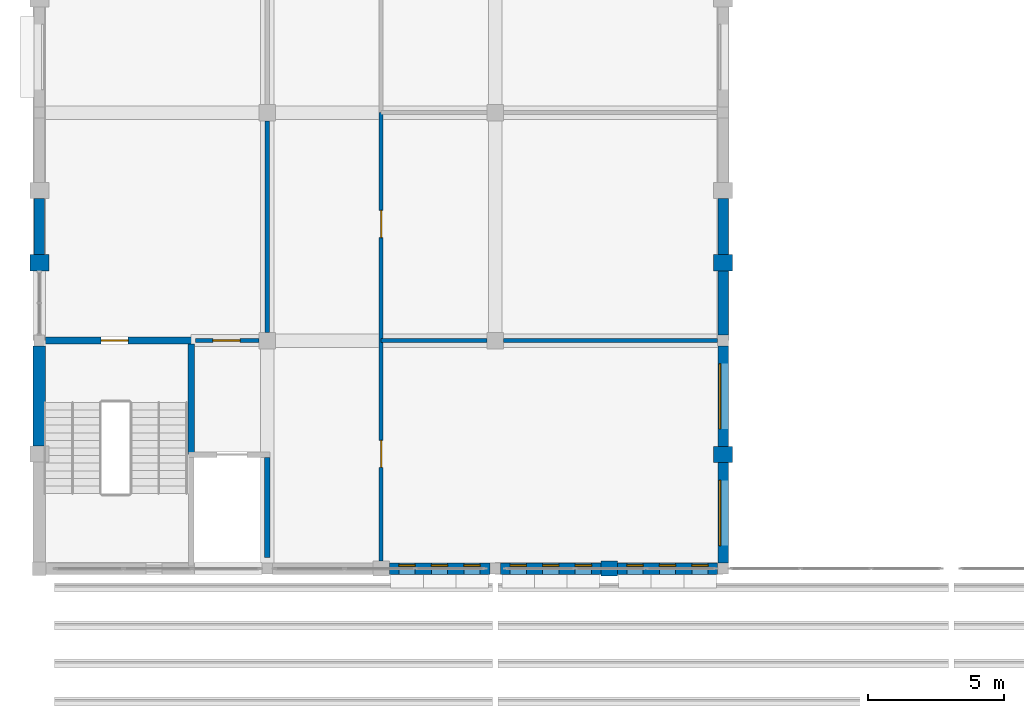
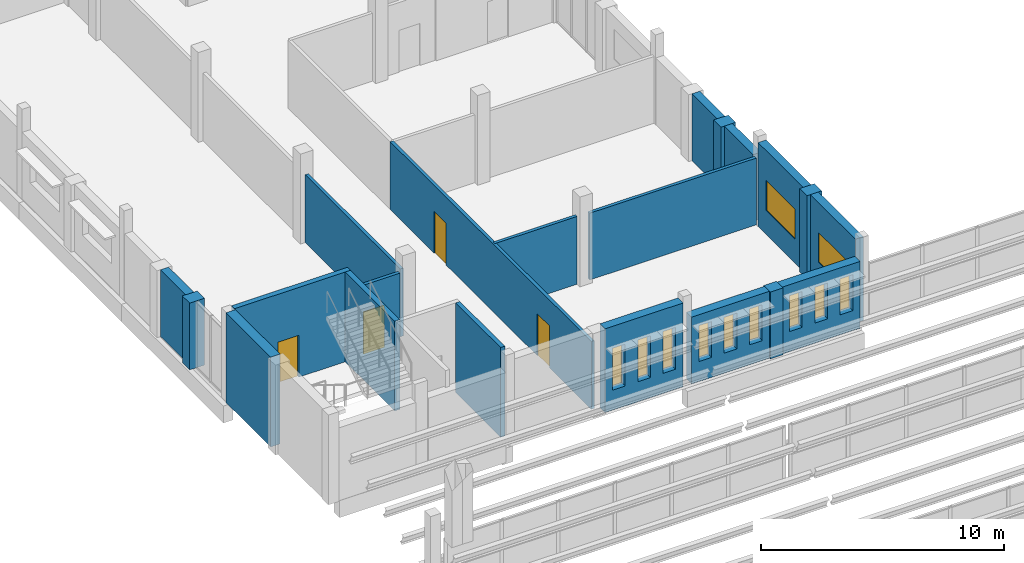
# One storey, part 93 of 116: 21 walls, 11 windows, 4 doors, 15 openings.
"""IFC4 building model written with IfcOpenShell, lengths in metres."""

from ifc_helpers import new_model, si_unit, direction, frame, frame_2d, origin, place, context, subcontext, project, spatial, rectangle, extrude, material, layer, layer_set, type_object, element, fill, save


model = new_model("IFC4")

# Units and contexts
model_context = context("Model", 3, precision=1e-05, world=origin(), true_north=direction((0.0, 1.0)))
body_context = subcontext(model_context, "Body", "Model", "MODEL_VIEW")
ifc_project = project(units=[si_unit("LENGTHUNIT", "METRE"), si_unit("AREAUNIT", "SQUARE_METRE"), si_unit("VOLUMEUNIT", "CUBIC_METRE"), si_unit("PLANEANGLEUNIT", "RADIAN"), si_unit("MASSUNIT", "GRAM", prefix="KILO")], contexts=[model_context])

# Site, building, storey
site_placement = place(None, origin())
site = spatial("IfcSite", under=ifc_project, at=site_placement, CompositionType="ELEMENT")
building_placement = place(site_placement, origin())
building = spatial("IfcBuilding", under=site, at=building_placement, Name="Fescue Hill Polytechnic", CompositionType="ELEMENT")
storey_placement = place(building_placement, frame((0.0, 0.0, 13.5)))
storey = spatial("IfcBuildingStorey", under=building, at=storey_placement, Name="L03", CompositionType="ELEMENT", Elevation=13.5)

# Wall
ifc_material_1 = material(Name="Clay brick masonry", Category="masonry")
ifc_layer_1 = layer(ifc_material_1, 0.550048828125)
ifc_layer_set_1 = layer_set([ifc_layer_1], Name="Clay brick masonry")
wall_type_1 = type_object("IfcWallType", Name="Brick pier 600x550", PredefinedType="SOLIDWALL", material=ifc_layer_set_1)
wall_1_placement = place(storey_placement, frame((20.699951171875, 50.39990234375, 0.0), z_axis=(0.0, 0.0, 1.0), x_axis=(1.0, 0.0, 0.0)))
element("IfcWall", 1, at=wall_1_placement, inside=storey, type_object=wall_type_1, Name="PR-L03-V4-24", PredefinedType="SOLIDWALL", context=body_context, shape_type="SweptSolid", body=[
    extrude(rectangle(XDim=0.60009765625, YDim=0.550048828125, at=frame_2d((0.300048828125, 0.0))), origin(), (0.0, 0.0, 1.0), 3.35009765625),
])

# Wall, opening, door
ifc_material_2 = material(Name="Concrete 40 MPa", Category="concrete")
ifc_layer_2 = layer(ifc_material_2, 0.25)
ifc_layer_set_2 = layer_set([ifc_layer_2], Name="Concrete 40 MPa")
wall_type_2 = type_object("IfcWallType", Name="Core wall 250", PredefinedType="SHEAR", material=ifc_layer_set_2)
wall_2_placement = place(storey_placement, frame((0.22509765625, 58.800048828125, 0.0), z_axis=(0.0, 0.0, 1.0), x_axis=(1.0, 0.0, 0.0)))
wall_2 = element("IfcWall", 2, at=wall_2_placement, inside=storey, type_object=wall_type_2, Name="CW-L03-ST-V4-1-21", PredefinedType="SHEAR", context=body_context, shape_type="SweptSolid", body=[
    extrude(rectangle(XDim=5.5, YDim=0.25, at=frame_2d((2.75, 0.0))), origin(), (0.0, 0.0, 1.0), 4.5),
])
opening_1_placement = place(wall_2_placement, frame((2.050048828125, 0.0, 0.0)))
opening_1 = element("IfcOpeningElement", 3, at=opening_1_placement, cuts=wall_2, Name="Opening D3038", PredefinedType="OPENING", context=body_context, shape_type="SweptSolid", body=[
    extrude(rectangle(XDim=1.0, YDim=2.10009765625, at=frame_2d((0.5, 1.050048828125))), frame((0.0, 0.135009765625, 0.0), z_axis=(0.0, -1.0, 0.0), x_axis=(1.0, 0.0, 0.0)), (0.0, 0.0, 1.0), 0.27001953125),
])
ifc_material_3 = material(Name="Steel fire door", Category="steel")
door_type_1 = type_object("IfcDoorType", Name="Door single swing 1000x2100 stair fire rated", OperationType="NOTDEFINED", PredefinedType="DOOR", material=ifc_material_3)
door_1_placement = place(opening_1_placement, origin())
door_1 = element("IfcDoor", 4, at=door_1_placement, inside=storey, type_object=door_type_1, Name="L03 ST-V4-1 stair door", OperationType="SINGLE_SWING_RIGHT", OverallHeight=2.10009765625, OverallWidth=1.0, PredefinedType="DOOR", context=body_context, shape_type="SweptSolid", body=[
    extrude(rectangle(XDim=1.0, YDim=2.10009765625, at=frame_2d((0.5, 1.050048828125))), frame((0.0, 0.02490234375, 0.0), z_axis=(0.0, -1.0, 0.0), x_axis=(1.0, 0.0, 0.0)), (0.0, 0.0, 1.0), 0.050048828125),
])
fill(opening_1, door_1)

# Walls
wall_3_placement = place(storey_placement, frame((5.60009765625, 54.610107421875, 0.0), z_axis=(0.0, 0.0, 1.0), x_axis=(0.0, 1.0, 0.0)))
element("IfcWall", 5, at=wall_3_placement, inside=storey, type_object=wall_type_2, Name="CW-L03-ST-V4-1-41", PredefinedType="SHEAR", context=body_context, shape_type="SweptSolid", body=[
    extrude(rectangle(XDim=4.06494140625, YDim=0.25, at=frame_2d((2.032470703125, 0.0))), origin(), (0.0, 0.0, 1.0), 4.5),
])
ifc_layer_3 = layer(ifc_material_2, 0.449951171875)
ifc_layer_set_3 = layer_set([ifc_layer_3], Name="Concrete 40 MPa")
wall_type_3 = type_object("IfcWallType", Name="Exterior wall board-marked concrete 450 load-bearing", PredefinedType="SOLIDWALL", material=ifc_layer_set_3)
wall_4_placement = place(storey_placement, frame((0.0, 58.60009765625, 0.0), z_axis=(0.0, 0.0, 1.0), x_axis=(0.0, -1.0, 0.0)))
element("IfcWall", 6, at=wall_4_placement, inside=storey, type_object=wall_type_3, Name="EW-L03-V4-34", PredefinedType="SOLIDWALL", context=body_context, shape_type="SweptSolid", body=[
    extrude(rectangle(XDim=3.675048828125, YDim=0.449951171875, at=frame_2d((1.83740234375, 0.0))), origin(), (0.0, 0.0, 1.0), 4.5),
])

# Wall, openings, windows
ifc_layer_4 = layer(ifc_material_1, 0.419921875)
ifc_layer_set_4 = layer_set([ifc_layer_4], Name="Clay brick masonry")
wall_type_4 = type_object("IfcWallType", Name="Exterior wall buff-red brick cavity 420", PredefinedType="SOLIDWALL", material=ifc_layer_set_4)
wall_5_placement = place(storey_placement, frame((12.89990234375, 50.39990234375, 0.0), z_axis=(0.0, 0.0, 1.0), x_axis=(1.0, 0.0, 0.0)))
wall_5 = element("IfcWall", 7, at=wall_5_placement, inside=storey, type_object=wall_type_4, Name="EW-L03-V4-39", PredefinedType="SOLIDWALL", context=body_context, shape_type="SweptSolid", body=[
    extrude(rectangle(XDim=3.7001953125, YDim=0.419921875, at=frame_2d((1.85009765625, 0.0))), origin(), (0.0, 0.0, 1.0), 4.199951171875),
])
opening_2_placement = place(wall_5_placement, frame((0.35009765625, 0.0, 1.0)))
opening_2 = element("IfcOpeningElement", 8, at=opening_2_placement, cuts=wall_5, Name="Opening W6", PredefinedType="OPENING", context=body_context, shape_type="SweptSolid", body=[
    extrude(rectangle(XDim=0.60009765625, YDim=2.10009765625, at=frame_2d((0.300048828125, 1.050048828125))), frame((0.0, 0.219970703125, 0.0), z_axis=(0.0, -1.0, 0.0), x_axis=(1.0, 0.0, 0.0)), (0.0, 0.0, 1.0), 0.43994140625),
])
opening_3_placement = place(wall_5_placement, frame((1.550048828125, 0.0, 1.0)))
opening_3 = element("IfcOpeningElement", 9, at=opening_3_placement, cuts=wall_5, Name="Opening W6", PredefinedType="OPENING", context=body_context, shape_type="SweptSolid", body=[
    extrude(rectangle(XDim=0.60009765625, YDim=2.10009765625, at=frame_2d((0.300048828125, 1.050048828125))), frame((0.0, 0.219970703125, 0.0), z_axis=(0.0, -1.0, 0.0), x_axis=(1.0, 0.0, 0.0)), (0.0, 0.0, 1.0), 0.43994140625),
])
opening_4_placement = place(wall_5_placement, frame((2.75, 0.0, 1.0)))
opening_4 = element("IfcOpeningElement", 10, at=opening_4_placement, cuts=wall_5, Name="Opening W6", PredefinedType="OPENING", context=body_context, shape_type="SweptSolid", body=[
    extrude(rectangle(XDim=0.60009765625, YDim=2.10009765625, at=frame_2d((0.300048828125, 1.050048828125))), frame((0.0, 0.219970703125, 0.0), z_axis=(0.0, -1.0, 0.0), x_axis=(1.0, 0.0, 0.0)), (0.0, 0.0, 1.0), 0.43994140625),
])
ifc_material_4 = material(Name="Powder-coated aluminium and glass", Category="aluminium")
window_type_1 = type_object("IfcWindowType", Name="Window slot 600x2100", PartitioningType="SINGLE_PANEL", PredefinedType="WINDOW", material=ifc_material_4)
window_1_placement = place(opening_2_placement, origin())
window_1 = element("IfcWindow", 11, at=window_1_placement, inside=storey, type_object=window_type_1, Name="WN-L03-V4-14", OverallHeight=2.10009765625, OverallWidth=0.60009765625, PartitioningType="SINGLE_PANEL", PredefinedType="WINDOW", context=body_context, shape_type="SweptSolid", body=[
    extrude(rectangle(XDim=0.60009765625, YDim=2.10009765625, at=frame_2d((0.300048828125, 1.050048828125))), frame((0.0, 0.150146484375, 0.0), z_axis=(0.0, -1.0, 0.0), x_axis=(1.0, 0.0, 0.0)), (0.0, 0.0, 1.0), 0.06005859375),
])
fill(opening_2, window_1)
window_2_placement = place(opening_3_placement, origin())
window_2 = element("IfcWindow", 12, at=window_2_placement, inside=storey, type_object=window_type_1, Name="WN-L03-V4-15", OverallHeight=2.10009765625, OverallWidth=0.60009765625, PartitioningType="SINGLE_PANEL", PredefinedType="WINDOW", context=body_context, shape_type="SweptSolid", body=[
    extrude(rectangle(XDim=0.60009765625, YDim=2.10009765625, at=frame_2d((0.300048828125, 1.050048828125))), frame((0.0, 0.150146484375, 0.0), z_axis=(0.0, -1.0, 0.0), x_axis=(1.0, 0.0, 0.0)), (0.0, 0.0, 1.0), 0.06005859375),
])
fill(opening_3, window_2)
window_3_placement = place(opening_4_placement, origin())
window_3 = element("IfcWindow", 13, at=window_3_placement, inside=storey, type_object=window_type_1, Name="WN-L03-V4-16", OverallHeight=2.10009765625, OverallWidth=0.60009765625, PartitioningType="SINGLE_PANEL", PredefinedType="WINDOW", context=body_context, shape_type="SweptSolid", body=[
    extrude(rectangle(XDim=0.60009765625, YDim=2.10009765625, at=frame_2d((0.300048828125, 1.050048828125))), frame((0.0, 0.150146484375, 0.0), z_axis=(0.0, -1.0, 0.0), x_axis=(1.0, 0.0, 0.0)), (0.0, 0.0, 1.0), 0.06005859375),
])
fill(opening_4, window_3)

wall_6_placement = place(storey_placement, frame((17.0, 50.39990234375, 0.0), z_axis=(0.0, 0.0, 1.0), x_axis=(1.0, 0.0, 0.0)))
wall_6 = element("IfcWall", 14, at=wall_6_placement, inside=storey, type_object=wall_type_4, Name="EW-L03-V4-40", PredefinedType="SOLIDWALL", context=body_context, shape_type="SweptSolid", body=[
    extrude(rectangle(XDim=3.699951171875, YDim=0.419921875, at=frame_2d((1.85009765625, 0.0))), origin(), (0.0, 0.0, 1.0), 3.35009765625),
])
opening_5_placement = place(wall_6_placement, frame((0.35009765625, 0.0, 1.0)))
opening_5 = element("IfcOpeningElement", 15, at=opening_5_placement, cuts=wall_6, Name="Opening W6R", PredefinedType="OPENING", context=body_context, shape_type="SweptSolid", body=[
    extrude(rectangle(XDim=0.60009765625, YDim=1.800048828125, at=frame_2d((0.300048828125, 0.89990234375))), frame((0.0, 0.219970703125, 0.0), z_axis=(0.0, -1.0, 0.0), x_axis=(1.0, 0.0, 0.0)), (0.0, 0.0, 1.0), 0.43994140625),
])
opening_6_placement = place(wall_6_placement, frame((1.550048828125, 0.0, 1.0)))
opening_6 = element("IfcOpeningElement", 16, at=opening_6_placement, cuts=wall_6, Name="Opening W6R", PredefinedType="OPENING", context=body_context, shape_type="SweptSolid", body=[
    extrude(rectangle(XDim=0.60009765625, YDim=1.800048828125, at=frame_2d((0.300048828125, 0.89990234375))), frame((0.0, 0.219970703125, 0.0), z_axis=(0.0, -1.0, 0.0), x_axis=(1.0, 0.0, 0.0)), (0.0, 0.0, 1.0), 0.43994140625),
])
opening_7_placement = place(wall_6_placement, frame((2.75, 0.0, 1.0)))
opening_7 = element("IfcOpeningElement", 17, at=opening_7_placement, cuts=wall_6, Name="Opening W6R", PredefinedType="OPENING", context=body_context, shape_type="SweptSolid", body=[
    extrude(rectangle(XDim=0.60009765625, YDim=1.800048828125, at=frame_2d((0.300048828125, 0.89990234375))), frame((0.0, 0.219970703125, 0.0), z_axis=(0.0, -1.0, 0.0), x_axis=(1.0, 0.0, 0.0)), (0.0, 0.0, 1.0), 0.43994140625),
])
window_type_2 = type_object("IfcWindowType", Name="Window slot 600x1800", PartitioningType="SINGLE_PANEL", PredefinedType="WINDOW", material=ifc_material_4)
window_4_placement = place(opening_5_placement, origin())
window_4 = element("IfcWindow", 18, at=window_4_placement, inside=storey, type_object=window_type_2, Name="WN-L03-V4-17", OverallHeight=1.800048828125, OverallWidth=0.60009765625, PartitioningType="SINGLE_PANEL", PredefinedType="WINDOW", context=body_context, shape_type="SweptSolid", body=[
    extrude(rectangle(XDim=0.60009765625, YDim=1.800048828125, at=frame_2d((0.300048828125, 0.89990234375))), frame((0.0, 0.150146484375, 0.0), z_axis=(0.0, -1.0, 0.0), x_axis=(1.0, 0.0, 0.0)), (0.0, 0.0, 1.0), 0.06005859375),
])
fill(opening_5, window_4)
window_5_placement = place(opening_6_placement, origin())
window_5 = element("IfcWindow", 19, at=window_5_placement, inside=storey, type_object=window_type_2, Name="WN-L03-V4-18", OverallHeight=1.800048828125, OverallWidth=0.60009765625, PartitioningType="SINGLE_PANEL", PredefinedType="WINDOW", context=body_context, shape_type="SweptSolid", body=[
    extrude(rectangle(XDim=0.60009765625, YDim=1.800048828125, at=frame_2d((0.300048828125, 0.89990234375))), frame((0.0, 0.150146484375, 0.0), z_axis=(0.0, -1.0, 0.0), x_axis=(1.0, 0.0, 0.0)), (0.0, 0.0, 1.0), 0.06005859375),
])
fill(opening_6, window_5)
window_6_placement = place(opening_7_placement, origin())
window_6 = element("IfcWindow", 20, at=window_6_placement, inside=storey, type_object=window_type_2, Name="WN-L03-V4-19", OverallHeight=1.800048828125, OverallWidth=0.60009765625, PartitioningType="SINGLE_PANEL", PredefinedType="WINDOW", context=body_context, shape_type="SweptSolid", body=[
    extrude(rectangle(XDim=0.60009765625, YDim=1.800048828125, at=frame_2d((0.300048828125, 0.89990234375))), frame((0.0, 0.150146484375, 0.0), z_axis=(0.0, -1.0, 0.0), x_axis=(1.0, 0.0, 0.0)), (0.0, 0.0, 1.0), 0.06005859375),
])
fill(opening_7, window_6)

wall_7_placement = place(storey_placement, frame((21.300048828125, 50.39990234375, 0.0), z_axis=(0.0, 0.0, 1.0), x_axis=(1.0, 0.0, 0.0)))
wall_7 = element("IfcWall", 21, at=wall_7_placement, inside=storey, type_object=wall_type_4, Name="EW-L03-V4-41", PredefinedType="SOLIDWALL", context=body_context, shape_type="SweptSolid", body=[
    extrude(rectangle(XDim=3.699951171875, YDim=0.419921875, at=frame_2d((1.85009765625, 0.0))), origin(), (0.0, 0.0, 1.0), 3.35009765625),
])
opening_8_placement = place(wall_7_placement, frame((0.35009765625, 0.0, 1.0)))
opening_8 = element("IfcOpeningElement", 22, at=opening_8_placement, cuts=wall_7, Name="Opening W6R", PredefinedType="OPENING", context=body_context, shape_type="SweptSolid", body=[
    extrude(rectangle(XDim=0.60009765625, YDim=1.800048828125, at=frame_2d((0.300048828125, 0.89990234375))), frame((0.0, 0.219970703125, 0.0), z_axis=(0.0, -1.0, 0.0), x_axis=(1.0, 0.0, 0.0)), (0.0, 0.0, 1.0), 0.43994140625),
])
opening_9_placement = place(wall_7_placement, frame((1.550048828125, 0.0, 1.0)))
opening_9 = element("IfcOpeningElement", 23, at=opening_9_placement, cuts=wall_7, Name="Opening W6R", PredefinedType="OPENING", context=body_context, shape_type="SweptSolid", body=[
    extrude(rectangle(XDim=0.60009765625, YDim=1.800048828125, at=frame_2d((0.300048828125, 0.89990234375))), frame((0.0, 0.219970703125, 0.0), z_axis=(0.0, -1.0, 0.0), x_axis=(1.0, 0.0, 0.0)), (0.0, 0.0, 1.0), 0.43994140625),
])
opening_10_placement = place(wall_7_placement, frame((2.75, 0.0, 1.0)))
opening_10 = element("IfcOpeningElement", 24, at=opening_10_placement, cuts=wall_7, Name="Opening W6R", PredefinedType="OPENING", context=body_context, shape_type="SweptSolid", body=[
    extrude(rectangle(XDim=0.60009765625, YDim=1.800048828125, at=frame_2d((0.300048828125, 0.89990234375))), frame((0.0, 0.219970703125, 0.0), z_axis=(0.0, -1.0, 0.0), x_axis=(1.0, 0.0, 0.0)), (0.0, 0.0, 1.0), 0.43994140625),
])
window_7_placement = place(opening_8_placement, origin())
window_7 = element("IfcWindow", 25, at=window_7_placement, inside=storey, type_object=window_type_2, Name="WN-L03-V4-20", OverallHeight=1.800048828125, OverallWidth=0.60009765625, PartitioningType="SINGLE_PANEL", PredefinedType="WINDOW", context=body_context, shape_type="SweptSolid", body=[
    extrude(rectangle(XDim=0.60009765625, YDim=1.800048828125, at=frame_2d((0.300048828125, 0.89990234375))), frame((0.0, 0.150146484375, 0.0), z_axis=(0.0, -1.0, 0.0), x_axis=(1.0, 0.0, 0.0)), (0.0, 0.0, 1.0), 0.06005859375),
])
fill(opening_8, window_7)
window_8_placement = place(opening_9_placement, origin())
window_8 = element("IfcWindow", 26, at=window_8_placement, inside=storey, type_object=window_type_2, Name="WN-L03-V4-21", OverallHeight=1.800048828125, OverallWidth=0.60009765625, PartitioningType="SINGLE_PANEL", PredefinedType="WINDOW", context=body_context, shape_type="SweptSolid", body=[
    extrude(rectangle(XDim=0.60009765625, YDim=1.800048828125, at=frame_2d((0.300048828125, 0.89990234375))), frame((0.0, 0.150146484375, 0.0), z_axis=(0.0, -1.0, 0.0), x_axis=(1.0, 0.0, 0.0)), (0.0, 0.0, 1.0), 0.06005859375),
])
fill(opening_9, window_8)
window_9_placement = place(opening_10_placement, origin())
window_9 = element("IfcWindow", 27, at=window_9_placement, inside=storey, type_object=window_type_2, Name="WN-L03-V4-22", OverallHeight=1.800048828125, OverallWidth=0.60009765625, PartitioningType="SINGLE_PANEL", PredefinedType="WINDOW", context=body_context, shape_type="SweptSolid", body=[
    extrude(rectangle(XDim=0.60009765625, YDim=1.800048828125, at=frame_2d((0.300048828125, 0.89990234375))), frame((0.0, 0.150146484375, 0.0), z_axis=(0.0, -1.0, 0.0), x_axis=(1.0, 0.0, 0.0)), (0.0, 0.0, 1.0), 0.06005859375),
])
fill(opening_10, window_9)

# Wall, opening, window
ifc_material_5 = material(Name="Terracotta rainscreen on concrete block", Category="masonry")
ifc_layer_5 = layer(ifc_material_5, 0.3798828125)
ifc_layer_set_5 = layer_set([ifc_layer_5], Name="Terracotta rainscreen on concrete block")
wall_type_5 = type_object("IfcWallType", Name="Exterior wall rainscreen terracotta on blockwork 380", PredefinedType="SOLIDWALL", material=ifc_layer_set_5)
wall_8_placement = place(storey_placement, frame((25.199951171875, 50.60009765625, 0.0), z_axis=(0.0, 0.0, 1.0), x_axis=(0.0, 1.0, 0.0)))
wall_8 = element("IfcWall", 28, at=wall_8_placement, inside=storey, type_object=wall_type_5, Name="EW-L03-V4-1", PredefinedType="SOLIDWALL", context=body_context, shape_type="SweptSolid", body=[
    extrude(rectangle(XDim=3.699951171875, YDim=0.3798828125, at=frame_2d((1.85009765625, 0.0))), origin(), (0.0, 0.0, 1.0), 4.199951171875),
])
opening_11_placement = place(wall_8_placement, frame((0.64990234375, 0.0, 1.199951171875)))
opening_11 = element("IfcOpeningElement", 29, at=opening_11_placement, cuts=wall_8, Name="Opening W3", PredefinedType="OPENING", context=body_context, shape_type="SweptSolid", body=[
    extrude(rectangle(XDim=2.39990234375, YDim=1.5, at=frame_2d((1.199951171875, 0.75))), frame((0.0, 0.199951171875, 0.0), z_axis=(0.0, -1.0, 0.0), x_axis=(1.0, 0.0, 0.0)), (0.0, 0.0, 1.0), 0.39990234375),
])
window_type_3 = type_object("IfcWindowType", Name="Window laboratory strip 2400x1500", PartitioningType="TRIPLE_PANEL_VERTICAL", PredefinedType="WINDOW", material=ifc_material_4)
window_10_placement = place(opening_11_placement, origin())
window_10 = element("IfcWindow", 30, at=window_10_placement, inside=storey, type_object=window_type_3, Name="WN-L03-V4-1", OverallHeight=1.5, OverallWidth=2.39990234375, PartitioningType="SINGLE_PANEL", PredefinedType="WINDOW", context=body_context, shape_type="SweptSolid", body=[
    extrude(rectangle(XDim=2.39990234375, YDim=1.5, at=frame_2d((1.199951171875, 0.75))), frame((0.0, 0.150146484375, 0.0), z_axis=(0.0, -1.0, 0.0), x_axis=(1.0, 0.0, 0.0)), (0.0, 0.0, 1.0), 0.06005859375),
])
fill(opening_11, window_10)

wall_9_placement = place(storey_placement, frame((25.199951171875, 54.89990234375, 0.0), z_axis=(0.0, 0.0, 1.0), x_axis=(0.0, 1.0, 0.0)))
wall_9 = element("IfcWall", 31, at=wall_9_placement, inside=storey, type_object=wall_type_5, Name="EW-L03-V4-2", PredefinedType="SOLIDWALL", context=body_context, shape_type="SweptSolid", body=[
    extrude(rectangle(XDim=3.7001953125, YDim=0.3798828125, at=frame_2d((1.85009765625, 0.0))), origin(), (0.0, 0.0, 1.0), 4.199951171875),
])
opening_12_placement = place(wall_9_placement, frame((0.64990234375, 0.0, 1.199951171875)))
opening_12 = element("IfcOpeningElement", 32, at=opening_12_placement, cuts=wall_9, Name="Opening W3", PredefinedType="OPENING", context=body_context, shape_type="SweptSolid", body=[
    extrude(rectangle(XDim=2.39990234375, YDim=1.5, at=frame_2d((1.199951171875, 0.75))), frame((0.0, 0.199951171875, 0.0), z_axis=(0.0, -1.0, 0.0), x_axis=(1.0, 0.0, 0.0)), (0.0, 0.0, 1.0), 0.39990234375),
])
window_11_placement = place(opening_12_placement, origin())
window_11 = element("IfcWindow", 33, at=window_11_placement, inside=storey, type_object=window_type_3, Name="WN-L03-V4-2", OverallHeight=1.5, OverallWidth=2.39990234375, PartitioningType="SINGLE_PANEL", PredefinedType="WINDOW", context=body_context, shape_type="SweptSolid", body=[
    extrude(rectangle(XDim=2.39990234375, YDim=1.5, at=frame_2d((1.199951171875, 0.75))), frame((0.0, 0.150146484375, 0.0), z_axis=(0.0, -1.0, 0.0), x_axis=(1.0, 0.0, 0.0)), (0.0, 0.0, 1.0), 0.06005859375),
])
fill(opening_12, window_11)

# Walls
wall_10_placement = place(storey_placement, frame((25.199951171875, 59.0, 0.0), z_axis=(0.0, 0.0, 1.0), x_axis=(0.0, 1.0, 0.0)))
element("IfcWall", 34, at=wall_10_placement, inside=storey, type_object=wall_type_5, Name="EW-L03-V4-3", PredefinedType="SOLIDWALL", context=body_context, shape_type="SweptSolid", body=[
    extrude(rectangle(XDim=2.36669921875, YDim=0.3798828125, at=frame_2d((1.183349609375, 0.0))), origin(), (0.0, 0.0, 1.0), 3.35009765625),
])
for number, where, z_axis, x_axis, name in (
    (35, (25.199951171875, 61.966796875, 0.0), (0.0, 0.0, 1.0), (0.0, 1.0, 0.0), "EW-L03-V4-4"),
    (36, (0.0, 64.033203125, 0.0), (0.0, 0.0, 1.0), (0.0, -1.0, 0.0), "EW-L03-V4-32"),
):
    element("IfcWall", number, at=place(storey_placement, frame(where, z_axis=z_axis, x_axis=x_axis)), inside=storey, type_object=wall_type_5, Name=name, PredefinedType="SOLIDWALL", context=body_context, shape_type="SweptSolid", body=[
        extrude(rectangle(XDim=2.06640625, YDim=0.3798828125, at=frame_2d((1.033203125, 0.0))), origin(), (0.0, 0.0, 1.0), 3.35009765625),
    ])
ifc_layer_6 = layer(ifc_material_2, 0.699951171875)
ifc_layer_set_6 = layer_set([ifc_layer_6], Name="Concrete 40 MPa")
wall_type_6 = type_object("IfcWallType", Name="Fin wall board-marked 600x700", PredefinedType="SOLIDWALL", material=ifc_layer_set_6)
wall_11_placement = place(storey_placement, frame((25.199951171875, 54.300048828125, 0.0), z_axis=(0.0, 0.0, 1.0), x_axis=(0.0, 1.0, 0.0)))
element("IfcWall", 37, at=wall_11_placement, inside=storey, type_object=wall_type_6, Name="PR-L03-V4-1", PredefinedType="SOLIDWALL", context=body_context, shape_type="SweptSolid", body=[
    extrude(rectangle(XDim=0.599853515625, YDim=0.699951171875, at=frame_2d((0.2998046875, 0.0))), origin(), (0.0, 0.0, 1.0), 4.199951171875),
])
for number, where, z_axis, x_axis, name in (
    (38, (25.199951171875, 61.36669921875, 0.0), (0.0, 0.0, 1.0), (0.0, 1.0, 0.0), "PR-L03-V4-2"),
    (39, (0.0, 61.966796875, 0.0), (0.0, 0.0, 1.0), (0.0, -1.0, 0.0), "PR-L03-V4-20"),
):
    element("IfcWall", number, at=place(storey_placement, frame(where, z_axis=z_axis, x_axis=x_axis)), inside=storey, type_object=wall_type_6, Name=name, PredefinedType="SOLIDWALL", context=body_context, shape_type="SweptSolid", body=[
        extrude(rectangle(XDim=0.60009765625, YDim=0.699951171875, at=frame_2d((0.300048828125, 0.0))), origin(), (0.0, 0.0, 1.0), 3.35009765625),
    ])
ifc_material_6 = material(Name="Concrete masonry block 15 MPa", Category="masonry")
ifc_layer_7 = layer(ifc_material_6, 0.14990234375)
ifc_layer_set_7 = layer_set([ifc_layer_7], Name="Concrete masonry block 15 MPa")
wall_type_7 = type_object("IfcWallType", Name="Laboratory wall 150 block EI 60", PredefinedType="PARTITIONING", material=ifc_layer_set_7)
wall_12_placement = place(storey_placement, frame((12.60009765625, 58.800048828125, 0.0), z_axis=(0.0, 0.0, 1.0), x_axis=(1.0, 0.0, 0.0)))
element("IfcWall", 40, at=wall_12_placement, inside=storey, type_object=wall_type_7, Name="IW-L03-001", PredefinedType="PARTITIONING", context=body_context, shape_type="SweptSolid", body=[
    extrude(rectangle(XDim=3.89990234375, YDim=0.14990234375, at=frame_2d((1.949951171875, 0.0))), origin(), (0.0, 0.0, 1.0), 3.39990234375),
])
wall_13_placement = place(storey_placement, frame((17.10009765625, 58.800048828125, 0.0), z_axis=(0.0, 0.0, 1.0), x_axis=(1.0, 0.0, 0.0)))
element("IfcWall", 41, at=wall_13_placement, inside=storey, type_object=wall_type_7, Name="IW-L03-002", PredefinedType="PARTITIONING", context=body_context, shape_type="SweptSolid", body=[
    extrude(rectangle(XDim=7.89990234375, YDim=0.14990234375, at=frame_2d((3.949951171875, 0.0))), origin(), (0.0, 0.0, 1.0), 3.35009765625),
])
wall_14_placement = place(storey_placement, frame((8.39990234375, 59.10009765625, 0.0), z_axis=(0.0, 0.0, 1.0), x_axis=(0.0, 1.0, 0.0)))
element("IfcWall", 42, at=wall_14_placement, inside=storey, type_object=wall_type_7, Name="IW-L03-037", PredefinedType="PARTITIONING", context=body_context, shape_type="SweptSolid", body=[
    extrude(rectangle(XDim=7.7998046875, YDim=0.14990234375, at=frame_2d((3.89990234375, 0.0))), origin(), (0.0, 0.0, 1.0), 3.39990234375),
])

# Wall, openings, doors
wall_15_placement = place(storey_placement, frame((12.60009765625, 50.675048828125, 0.0), z_axis=(0.0, 0.0, 1.0), x_axis=(0.0, 1.0, 0.0)))
wall_15 = element("IfcWall", 43, at=wall_15_placement, inside=storey, type_object=wall_type_7, Name="IW-L03-047", PredefinedType="PARTITIONING", context=body_context, shape_type="SweptSolid", body=[
    extrude(rectangle(XDim=16.52490234375, YDim=0.14990234375, at=frame_2d((8.262451171875, 0.0))), origin(), (0.0, 0.0, 1.0), 3.39990234375),
])
opening_13_placement = place(wall_15_placement, frame((3.449951171875, 0.0, 0.0)))
opening_13 = element("IfcOpeningElement", 44, at=opening_13_placement, cuts=wall_15, Name="Opening D3009", PredefinedType="OPENING", context=body_context, shape_type="SweptSolid", body=[
    extrude(rectangle(XDim=1.0, YDim=2.10009765625, at=frame_2d((0.5, 1.050048828125))), frame((0.0, 0.0849609375, 0.0), z_axis=(0.0, -1.0, 0.0), x_axis=(1.0, 0.0, 0.0)), (0.0, 0.0, 1.0), 0.169921875),
])
opening_14_placement = place(wall_15_placement, frame((11.925048828125, 0.0, 0.0)))
opening_14 = element("IfcOpeningElement", 45, at=opening_14_placement, cuts=wall_15, Name="Opening D3010", PredefinedType="OPENING", context=body_context, shape_type="SweptSolid", body=[
    extrude(rectangle(XDim=1.0, YDim=2.10009765625, at=frame_2d((0.5, 1.050048828125))), frame((0.0, 0.0849609375, 0.0), z_axis=(0.0, -1.0, 0.0), x_axis=(1.0, 0.0, 0.0)), (0.0, 0.0, 1.0), 0.169921875),
])
ifc_material_7 = material(Name="Steel", Category="steel")
door_type_2 = type_object("IfcDoorType", Name="Door single swing 1000x2100 FD60", OperationType="SINGLE_SWING_LEFT", PredefinedType="DOOR", material=ifc_material_7)
door_2_placement = place(opening_13_placement, origin())
door_2 = element("IfcDoor", 46, at=door_2_placement, inside=storey, type_object=door_type_2, Name="Door D3009", OperationType="SINGLE_SWING_LEFT", OverallHeight=2.10009765625, OverallWidth=1.0, PredefinedType="DOOR", context=body_context, shape_type="SweptSolid", body=[
    extrude(rectangle(XDim=1.0, YDim=2.10009765625, at=frame_2d((0.5, 1.050048828125))), frame((0.0, 0.02490234375, 0.0), z_axis=(0.0, -1.0, 0.0), x_axis=(1.0, 0.0, 0.0)), (0.0, 0.0, 1.0), 0.050048828125),
])
fill(opening_13, door_2)
door_3_placement = place(opening_14_placement, origin())
door_3 = element("IfcDoor", 47, at=door_3_placement, inside=storey, type_object=door_type_2, Name="Door D3010", OperationType="SINGLE_SWING_RIGHT", OverallHeight=2.10009765625, OverallWidth=1.0, PredefinedType="DOOR", context=body_context, shape_type="SweptSolid", body=[
    extrude(rectangle(XDim=1.0, YDim=2.10009765625, at=frame_2d((0.5, 1.050048828125))), frame((0.0, 0.02490234375, 0.0), z_axis=(0.0, -1.0, 0.0), x_axis=(1.0, 0.0, 0.0)), (0.0, 0.0, 1.0), 0.050048828125),
])
fill(opening_14, door_3)

# Wall
ifc_layer_8 = layer(ifc_material_2, 0.199951171875)
ifc_layer_set_8 = layer_set([ifc_layer_8], Name="Concrete 40 MPa")
wall_type_8 = type_object("IfcWallType", Name="Lift shaft wall 200", PredefinedType="SHEAR", material=ifc_layer_set_8)
wall_16_placement = place(storey_placement, frame((8.39990234375, 50.800048828125, 0.0), z_axis=(0.0, 0.0, 1.0), x_axis=(0.0, 1.0, 0.0)))
element("IfcWall", 48, at=wall_16_placement, inside=storey, type_object=wall_type_8, Name="CW-L03-LF-V4-1-41", PredefinedType="SHEAR", context=body_context, shape_type="SweptSolid", body=[
    extrude(rectangle(XDim=3.699951171875, YDim=0.199951171875, at=frame_2d((1.85009765625, 0.0))), origin(), (0.0, 0.0, 1.0), 4.5),
])

# Wall, opening, door
ifc_material_8 = material(Name="Gypsum board partition")
ifc_layer_9 = layer(ifc_material_8, 0.14990234375)
ifc_layer_set_9 = layer_set([ifc_layer_9], Name="Gypsum board partition")
wall_type_9 = type_object("IfcWallType", Name="Lobby wall 150 EI 60", PredefinedType="PARTITIONING", material=ifc_layer_set_9)
wall_17_placement = place(storey_placement, frame((5.75, 58.800048828125, 0.0), z_axis=(0.0, 0.0, 1.0), x_axis=(1.0, 0.0, 0.0)))
wall_17 = element("IfcWall", 49, at=wall_17_placement, inside=storey, type_object=wall_type_9, Name="IW-L03-003", PredefinedType="PARTITIONING", context=body_context, shape_type="SweptSolid", body=[
    extrude(rectangle(XDim=2.35009765625, YDim=0.14990234375, at=frame_2d((1.175048828125, 0.0))), origin(), (0.0, 0.0, 1.0), 3.5),
])
opening_15_placement = place(wall_17_placement, frame((0.64990234375, 0.0, 0.0)))
opening_15 = element("IfcOpeningElement", 50, at=opening_15_placement, cuts=wall_17, Name="Opening D3003", PredefinedType="OPENING", context=body_context, shape_type="SweptSolid", body=[
    extrude(rectangle(XDim=1.0, YDim=2.10009765625, at=frame_2d((0.5, 1.050048828125))), frame((0.0, 0.0849609375, 0.0), z_axis=(0.0, -1.0, 0.0), x_axis=(1.0, 0.0, 0.0)), (0.0, 0.0, 1.0), 0.169921875),
])
door_4_placement = place(opening_15_placement, origin())
door_4 = element("IfcDoor", 51, at=door_4_placement, inside=storey, type_object=door_type_2, Name="Door D3003", OperationType="SINGLE_SWING_LEFT", OverallHeight=2.10009765625, OverallWidth=1.0, PredefinedType="DOOR", context=body_context, shape_type="SweptSolid", body=[
    extrude(rectangle(XDim=1.0, YDim=2.10009765625, at=frame_2d((0.5, 1.050048828125))), frame((0.0, 0.02490234375, 0.0), z_axis=(0.0, -1.0, 0.0), x_axis=(1.0, 0.0, 0.0)), (0.0, 0.0, 1.0), 0.050048828125),
])
fill(opening_15, door_4)

save(model, "model.ifc")
